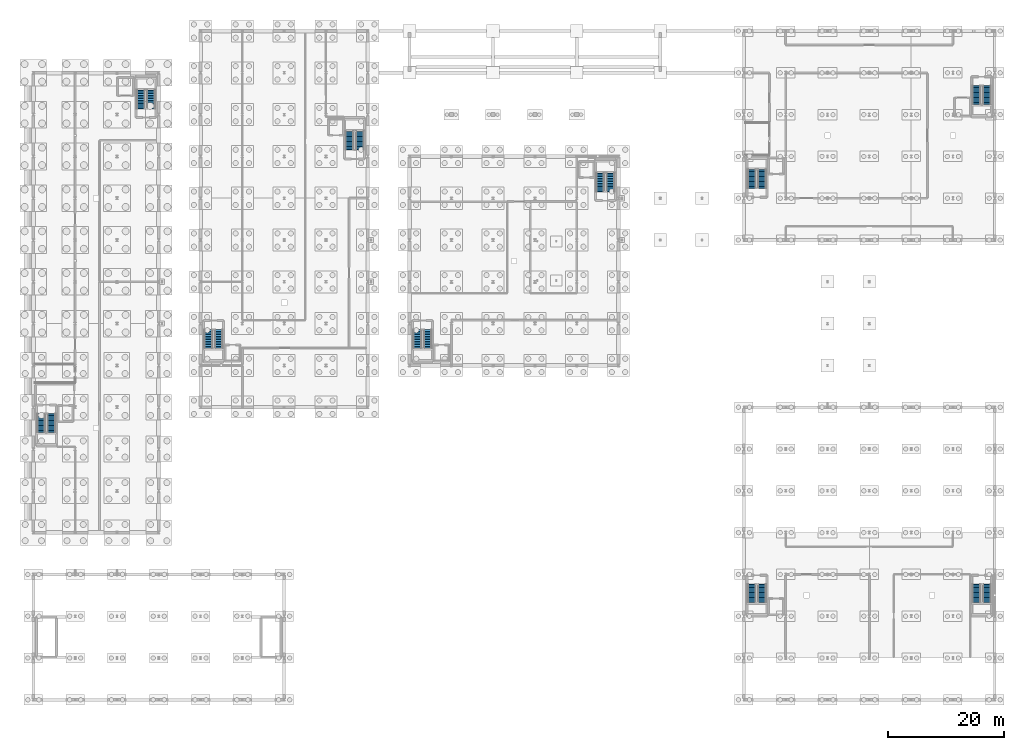
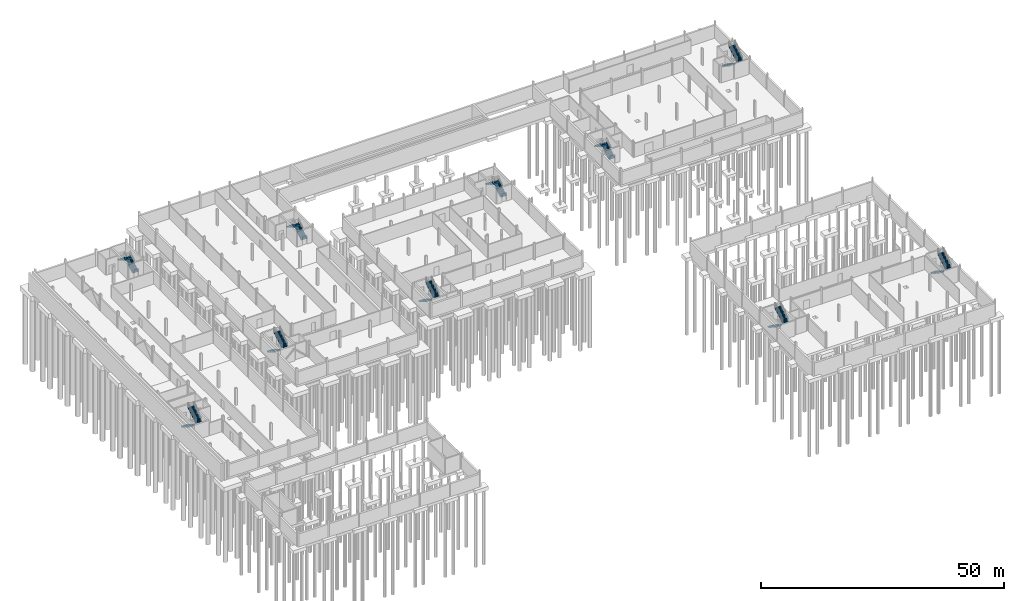
# One storey, part 43 of 50: 20 stair flights, 10 elements without a shape of their own.
"""IFC4 building model written with IfcOpenShell, lengths in metres."""

from ifc_helpers import new_model, si_unit, direction, frame, origin, place, context, subcontext, project, spatial, polyline, outline, extrude, material, type_object, element, aggregate, save


model = new_model("IFC4")

# Units and contexts
model_context = context("Model", 3, precision=1e-05, world=origin(), true_north=direction((0.0, 1.0)))
body_context = subcontext(model_context, "Body", "Model", "MODEL_VIEW")
ifc_project = project(units=[si_unit("LENGTHUNIT", "METRE"), si_unit("AREAUNIT", "SQUARE_METRE"), si_unit("VOLUMEUNIT", "CUBIC_METRE"), si_unit("PLANEANGLEUNIT", "RADIAN"), si_unit("MASSUNIT", "GRAM", prefix="KILO")], contexts=[model_context])

# Site, building, storey
site_placement = place(None, origin())
site = spatial("IfcSite", under=ifc_project, at=site_placement, CompositionType="ELEMENT")
building_placement = place(site_placement, origin())
building = spatial("IfcBuilding", under=site, at=building_placement, Name="Narikvali Park Central Library", CompositionType="ELEMENT")
storey_placement = place(building_placement, frame((0.0, 0.0, -4.199951171875)))
storey = spatial("IfcBuildingStorey", under=building, at=storey_placement, Name="B1", CompositionType="ELEMENT", Elevation=-4.199951171875)

# Stair, stair flights
ifc_material_1 = material(Name="Concrete C35/45", Category="concrete")
stair_type = type_object("IfcStairType", Name="Core Enclosed Two-Flight Exit Stair", PredefinedType="HALF_TURN_STAIR", material=ifc_material_1)
stair_1_placement = place(storey_placement, origin())
stair_1 = element("IfcStair", 1, at=stair_1_placement, inside=storey, type_object=stair_type, Name="B1 Exit Stair ST-01", PredefinedType="HALF_TURN_STAIR")
ifc_material_2 = material(Name="Precast concrete C40/50", Category="concrete")
stair_flight_type = type_object("IfcStairFlightType", Name="Precast Concrete Stair Flight 1420", PredefinedType="STRAIGHT", material=ifc_material_2)
stair_flight_1_placement = place(storey_placement, frame((66.159912109375, 63.75, 0.0), z_axis=(0.0, 0.0, 1.0), x_axis=(0.0, -1.0, 0.0)))
stair_flight_1 = element("IfcStairFlight", 2, at=stair_flight_1_placement, type_object=stair_flight_type, Name="ST-01 flight 1", NumberOfRisers=12, NumberOfTreads=11, PredefinedType="STRAIGHT", RiserHeight=0.175, TreadLength=0.285, context=body_context, shape_type="SweptSolid", body=[
    extrude(outline(polyline([(-0.0400390625, -0.02490234375), (-0.0400390625, 0.0), (0.0, 0.0), (0.0, 0.175048828125), (0.284912109375, 0.175048828125), (0.284912109375, 0.35009765625), (0.570068359375, 0.35009765625), (0.570068359375, 0.52490234375), (0.85498046875, 0.52490234375), (0.85498046875, 0.699951171875), (1.139892578125, 0.699951171875), (1.139892578125, 0.875), (1.425048828125, 0.875), (1.425048828125, 1.050048828125), (1.7099609375, 1.050048828125), (1.7099609375, 1.22509765625), (1.9951171875, 1.22509765625), (1.9951171875, 1.39990234375), (2.280029296875, 1.39990234375), (2.280029296875, 1.574951171875), (2.56494140625, 1.574951171875), (2.56494140625, 1.75), (2.85009765625, 1.75), (2.85009765625, 1.925048828125), (3.135009765625, 1.925048828125), (3.135009765625, 2.10009765625), (3.179931640625, 2.10009765625), (3.179931640625, 1.7138671875), (3.135009765625, 1.7138671875), (0.34375, -0.02490234375), (-0.0400390625, -0.02490234375)])), frame((0.0, 0.7099609375, 0.0), z_axis=(0.0, -1.0, 0.0), x_axis=(1.0, 0.0, 0.0)), (0.0, 0.0, 1.0), 1.419921875),
])
stair_flight_2_placement = place(storey_placement, frame((67.93994140625, 60.614990234375, 2.099853515625), z_axis=(0.0, 0.0, 1.0), x_axis=(0.0, 1.0, 0.0)))
stair_flight_2 = element("IfcStairFlight", 3, at=stair_flight_2_placement, type_object=stair_flight_type, Name="ST-01 flight 2", NumberOfRisers=12, NumberOfTreads=11, PredefinedType="STRAIGHT", RiserHeight=0.175, TreadLength=0.285, context=body_context, shape_type="SweptSolid", body=[
    extrude(outline(polyline([(-0.0400390625, -0.02490234375), (-0.0400390625, 0.0), (0.0, 0.0), (0.0, 0.175048828125), (0.284912109375, 0.175048828125), (0.284912109375, 0.35009765625), (0.570068359375, 0.35009765625), (0.570068359375, 0.52490234375), (0.85498046875, 0.52490234375), (0.85498046875, 0.699951171875), (1.139892578125, 0.699951171875), (1.139892578125, 0.875), (1.425048828125, 0.875), (1.425048828125, 1.050048828125), (1.7099609375, 1.050048828125), (1.7099609375, 1.22509765625), (1.9951171875, 1.22509765625), (1.9951171875, 1.39990234375), (2.280029296875, 1.39990234375), (2.280029296875, 1.574951171875), (2.56494140625, 1.574951171875), (2.56494140625, 1.75), (2.85009765625, 1.75), (2.85009765625, 1.925048828125), (3.135009765625, 1.925048828125), (3.135009765625, 2.10009765625), (3.179931640625, 2.10009765625), (3.179931640625, 1.7138671875), (3.135009765625, 1.7138671875), (0.34375, -0.02490234375), (-0.0400390625, -0.02490234375)])), frame((0.0, 0.7099609375, 0.0), z_axis=(0.0, -1.0, 0.0), x_axis=(1.0, 0.0, 0.0)), (0.0, 0.0, 1.0), 1.419921875),
])
aggregate(stair_1, [stair_flight_1, stair_flight_2])

stair_2_placement = place(storey_placement, origin())
stair_2 = element("IfcStair", 4, at=stair_2_placement, inside=storey, type_object=stair_type, Name="B1 Exit Stair ST-02", PredefinedType="HALF_TURN_STAIR")
stair_flight_3_placement = place(storey_placement, frame((99.43994140625, 87.550048828125, 0.0), z_axis=(0.0, 0.0, 1.0), x_axis=(0.0, 1.0, 0.0)))
stair_flight_3 = element("IfcStairFlight", 5, at=stair_flight_3_placement, type_object=stair_flight_type, Name="ST-02 flight 1", NumberOfRisers=12, NumberOfTreads=11, PredefinedType="STRAIGHT", RiserHeight=0.175, TreadLength=0.285, context=body_context, shape_type="SweptSolid", body=[
    extrude(outline(polyline([(-0.0400390625, -0.02490234375), (-0.0400390625, 0.0), (0.0, 0.0), (0.0, 0.175048828125), (0.284912109375, 0.175048828125), (0.284912109375, 0.35009765625), (0.570068359375, 0.35009765625), (0.570068359375, 0.52490234375), (0.85498046875, 0.52490234375), (0.85498046875, 0.699951171875), (1.139892578125, 0.699951171875), (1.139892578125, 0.875), (1.425048828125, 0.875), (1.425048828125, 1.050048828125), (1.7099609375, 1.050048828125), (1.7099609375, 1.22509765625), (1.9951171875, 1.22509765625), (1.9951171875, 1.39990234375), (2.280029296875, 1.39990234375), (2.280029296875, 1.574951171875), (2.56494140625, 1.574951171875), (2.56494140625, 1.75), (2.85009765625, 1.75), (2.85009765625, 1.925048828125), (3.135009765625, 1.925048828125), (3.135009765625, 2.10009765625), (3.179931640625, 2.10009765625), (3.179931640625, 1.7138671875), (3.135009765625, 1.7138671875), (0.34375, -0.02490234375), (-0.0400390625, -0.02490234375)])), frame((0.0, 0.7099609375, 0.0), z_axis=(0.0, -1.0, 0.0), x_axis=(1.0, 0.0, 0.0)), (0.0, 0.0, 1.0), 1.419921875),
])
stair_flight_4_placement = place(storey_placement, frame((97.659912109375, 90.68505859375, 2.099853515625), z_axis=(0.0, 0.0, 1.0), x_axis=(0.0, -1.0, 0.0)))
stair_flight_4 = element("IfcStairFlight", 6, at=stair_flight_4_placement, type_object=stair_flight_type, Name="ST-02 flight 2", NumberOfRisers=12, NumberOfTreads=11, PredefinedType="STRAIGHT", RiserHeight=0.175, TreadLength=0.285, context=body_context, shape_type="SweptSolid", body=[
    extrude(outline(polyline([(-0.0400390625, -0.02490234375), (-0.0400390625, 0.0), (0.0, 0.0), (0.0, 0.175048828125), (0.284912109375, 0.175048828125), (0.284912109375, 0.35009765625), (0.570068359375, 0.35009765625), (0.570068359375, 0.52490234375), (0.85498046875, 0.52490234375), (0.85498046875, 0.699951171875), (1.139892578125, 0.699951171875), (1.139892578125, 0.875), (1.425048828125, 0.875), (1.425048828125, 1.050048828125), (1.7099609375, 1.050048828125), (1.7099609375, 1.22509765625), (1.9951171875, 1.22509765625), (1.9951171875, 1.39990234375), (2.280029296875, 1.39990234375), (2.280029296875, 1.574951171875), (2.56494140625, 1.574951171875), (2.56494140625, 1.75), (2.85009765625, 1.75), (2.85009765625, 1.925048828125), (3.135009765625, 1.925048828125), (3.135009765625, 2.10009765625), (3.179931640625, 2.10009765625), (3.179931640625, 1.7138671875), (3.135009765625, 1.7138671875), (0.34375, -0.02490234375), (-0.0400390625, -0.02490234375)])), frame((0.0, 0.7099609375, 0.0), z_axis=(0.0, -1.0, 0.0), x_axis=(1.0, 0.0, 0.0)), (0.0, 0.0, 1.0), 1.419921875),
])
aggregate(stair_2, [stair_flight_3, stair_flight_4])

stair_3_placement = place(storey_placement, origin())
stair_3 = element("IfcStair", 7, at=stair_3_placement, inside=storey, type_object=stair_type, Name="B1 Exit Stair ST-05", PredefinedType="HALF_TURN_STAIR")
stair_flight_5_placement = place(storey_placement, frame((125.5400390625, 88.14990234375, 0.0), z_axis=(0.0, 0.0, 1.0), x_axis=(0.0, 1.0, 0.0)))
stair_flight_5 = element("IfcStairFlight", 8, at=stair_flight_5_placement, type_object=stair_flight_type, Name="ST-05 flight 1", NumberOfRisers=12, NumberOfTreads=11, PredefinedType="STRAIGHT", RiserHeight=0.175, TreadLength=0.285, context=body_context, shape_type="SweptSolid", body=[
    extrude(outline(polyline([(-0.0400390625, -0.02490234375), (-0.0400390625, 0.0), (0.0, 0.0), (0.0, 0.175048828125), (0.284912109375, 0.175048828125), (0.284912109375, 0.35009765625), (0.570068359375, 0.35009765625), (0.570068359375, 0.52490234375), (0.85498046875, 0.52490234375), (0.85498046875, 0.699951171875), (1.139892578125, 0.699951171875), (1.139892578125, 0.875), (1.425048828125, 0.875), (1.425048828125, 1.050048828125), (1.7099609375, 1.050048828125), (1.7099609375, 1.22509765625), (1.9951171875, 1.22509765625), (1.9951171875, 1.39990234375), (2.280029296875, 1.39990234375), (2.280029296875, 1.574951171875), (2.56494140625, 1.574951171875), (2.56494140625, 1.75), (2.85009765625, 1.75), (2.85009765625, 1.925048828125), (3.135009765625, 1.925048828125), (3.135009765625, 2.10009765625), (3.179931640625, 2.10009765625), (3.179931640625, 1.7138671875), (3.135009765625, 1.7138671875), (0.34375, -0.02490234375), (-0.0400390625, -0.02490234375)])), frame((0.0, 0.7099609375, 0.0), z_axis=(0.0, -1.0, 0.0), x_axis=(1.0, 0.0, 0.0)), (0.0, 0.0, 1.0), 1.419921875),
])
stair_flight_6_placement = place(storey_placement, frame((123.760009765625, 91.284912109375, 2.099853515625), z_axis=(0.0, 0.0, 1.0), x_axis=(0.0, -1.0, 0.0)))
stair_flight_6 = element("IfcStairFlight", 9, at=stair_flight_6_placement, type_object=stair_flight_type, Name="ST-05 flight 2", NumberOfRisers=12, NumberOfTreads=11, PredefinedType="STRAIGHT", RiserHeight=0.175, TreadLength=0.285, context=body_context, shape_type="SweptSolid", body=[
    extrude(outline(polyline([(-0.0400390625, -0.02490234375), (-0.0400390625, 0.0), (0.0, 0.0), (0.0, 0.175048828125), (0.284912109375, 0.175048828125), (0.284912109375, 0.35009765625), (0.570068359375, 0.35009765625), (0.570068359375, 0.52490234375), (0.85498046875, 0.52490234375), (0.85498046875, 0.699951171875), (1.139892578125, 0.699951171875), (1.139892578125, 0.875), (1.425048828125, 0.875), (1.425048828125, 1.050048828125), (1.7099609375, 1.050048828125), (1.7099609375, 1.22509765625), (1.9951171875, 1.22509765625), (1.9951171875, 1.39990234375), (2.280029296875, 1.39990234375), (2.280029296875, 1.574951171875), (2.56494140625, 1.574951171875), (2.56494140625, 1.75), (2.85009765625, 1.75), (2.85009765625, 1.925048828125), (3.135009765625, 1.925048828125), (3.135009765625, 2.10009765625), (3.179931640625, 2.10009765625), (3.179931640625, 1.7138671875), (3.135009765625, 1.7138671875), (0.34375, -0.02490234375), (-0.0400390625, -0.02490234375)])), frame((0.0, 0.7099609375, 0.0), z_axis=(0.0, -1.0, 0.0), x_axis=(1.0, 0.0, 0.0)), (0.0, 0.0, 1.0), 1.419921875),
])
aggregate(stair_3, [stair_flight_5, stair_flight_6])

stair_4_placement = place(storey_placement, origin())
stair_4 = element("IfcStair", 10, at=stair_4_placement, inside=storey, type_object=stair_type, Name="B1 Exit Stair ST-06", PredefinedType="HALF_TURN_STAIR")
stair_flight_7_placement = place(storey_placement, frame((162.4599609375, 105.75, 0.0), z_axis=(0.0, 0.0, 1.0), x_axis=(0.0, -1.0, 0.0)))
stair_flight_7 = element("IfcStairFlight", 11, at=stair_flight_7_placement, type_object=stair_flight_type, Name="ST-06 flight 1", NumberOfRisers=12, NumberOfTreads=11, PredefinedType="STRAIGHT", RiserHeight=0.175, TreadLength=0.285, context=body_context, shape_type="SweptSolid", body=[
    extrude(outline(polyline([(-0.0400390625, -0.02490234375), (-0.0400390625, 0.0), (0.0, 0.0), (0.0, 0.175048828125), (0.284912109375, 0.175048828125), (0.284912109375, 0.35009765625), (0.570068359375, 0.35009765625), (0.570068359375, 0.52490234375), (0.85498046875, 0.52490234375), (0.85498046875, 0.699951171875), (1.139892578125, 0.699951171875), (1.139892578125, 0.875), (1.425048828125, 0.875), (1.425048828125, 1.050048828125), (1.7099609375, 1.050048828125), (1.7099609375, 1.22509765625), (1.9951171875, 1.22509765625), (1.9951171875, 1.39990234375), (2.280029296875, 1.39990234375), (2.280029296875, 1.574951171875), (2.56494140625, 1.574951171875), (2.56494140625, 1.75), (2.85009765625, 1.75), (2.85009765625, 1.925048828125), (3.135009765625, 1.925048828125), (3.135009765625, 2.10009765625), (3.179931640625, 2.10009765625), (3.179931640625, 1.7138671875), (3.135009765625, 1.7138671875), (0.34375, -0.02490234375), (-0.0400390625, -0.02490234375)])), frame((0.0, 0.7099609375, 0.0), z_axis=(0.0, -1.0, 0.0), x_axis=(1.0, 0.0, 0.0)), (0.0, 0.0, 1.0), 1.419921875),
])
stair_flight_8_placement = place(storey_placement, frame((164.239990234375, 102.614990234375, 2.099853515625), z_axis=(0.0, 0.0, 1.0), x_axis=(0.0, 1.0, 0.0)))
stair_flight_8 = element("IfcStairFlight", 12, at=stair_flight_8_placement, type_object=stair_flight_type, Name="ST-06 flight 2", NumberOfRisers=12, NumberOfTreads=11, PredefinedType="STRAIGHT", RiserHeight=0.175, TreadLength=0.285, context=body_context, shape_type="SweptSolid", body=[
    extrude(outline(polyline([(-0.0400390625, -0.02490234375), (-0.0400390625, 0.0), (0.0, 0.0), (0.0, 0.175048828125), (0.284912109375, 0.175048828125), (0.284912109375, 0.35009765625), (0.570068359375, 0.35009765625), (0.570068359375, 0.52490234375), (0.85498046875, 0.52490234375), (0.85498046875, 0.699951171875), (1.139892578125, 0.699951171875), (1.139892578125, 0.875), (1.425048828125, 0.875), (1.425048828125, 1.050048828125), (1.7099609375, 1.050048828125), (1.7099609375, 1.22509765625), (1.9951171875, 1.22509765625), (1.9951171875, 1.39990234375), (2.280029296875, 1.39990234375), (2.280029296875, 1.574951171875), (2.56494140625, 1.574951171875), (2.56494140625, 1.75), (2.85009765625, 1.75), (2.85009765625, 1.925048828125), (3.135009765625, 1.925048828125), (3.135009765625, 2.10009765625), (3.179931640625, 2.10009765625), (3.179931640625, 1.7138671875), (3.135009765625, 1.7138671875), (0.34375, -0.02490234375), (-0.0400390625, -0.02490234375)])), frame((0.0, 0.7099609375, 0.0), z_axis=(0.0, -1.0, 0.0), x_axis=(1.0, 0.0, 0.0)), (0.0, 0.0, 1.0), 1.419921875),
])
aggregate(stair_4, [stair_flight_7, stair_flight_8])

stair_5_placement = place(storey_placement, origin())
stair_5 = element("IfcStair", 13, at=stair_5_placement, inside=storey, type_object=stair_type, Name="B1 Exit Stair ST-07", PredefinedType="HALF_TURN_STAIR")
stair_flight_9_placement = place(storey_placement, frame((30.159912109375, 63.75, 0.0), z_axis=(0.0, 0.0, 1.0), x_axis=(0.0, -1.0, 0.0)))
stair_flight_9 = element("IfcStairFlight", 14, at=stair_flight_9_placement, type_object=stair_flight_type, Name="ST-07 flight 1", NumberOfRisers=12, NumberOfTreads=11, PredefinedType="STRAIGHT", RiserHeight=0.175, TreadLength=0.285, context=body_context, shape_type="SweptSolid", body=[
    extrude(outline(polyline([(-0.0400390625, -0.02490234375), (-0.0400390625, 0.0), (0.0, 0.0), (0.0, 0.175048828125), (0.284912109375, 0.175048828125), (0.284912109375, 0.35009765625), (0.570068359375, 0.35009765625), (0.570068359375, 0.52490234375), (0.85498046875, 0.52490234375), (0.85498046875, 0.699951171875), (1.139892578125, 0.699951171875), (1.139892578125, 0.875), (1.425048828125, 0.875), (1.425048828125, 1.050048828125), (1.7099609375, 1.050048828125), (1.7099609375, 1.22509765625), (1.9951171875, 1.22509765625), (1.9951171875, 1.39990234375), (2.280029296875, 1.39990234375), (2.280029296875, 1.574951171875), (2.56494140625, 1.574951171875), (2.56494140625, 1.75), (2.85009765625, 1.75), (2.85009765625, 1.925048828125), (3.135009765625, 1.925048828125), (3.135009765625, 2.10009765625), (3.179931640625, 2.10009765625), (3.179931640625, 1.7138671875), (3.135009765625, 1.7138671875), (0.34375, -0.02490234375), (-0.0400390625, -0.02490234375)])), frame((0.0, 0.7099609375, 0.0), z_axis=(0.0, -1.0, 0.0), x_axis=(1.0, 0.0, 0.0)), (0.0, 0.0, 1.0), 1.419921875),
])
stair_flight_10_placement = place(storey_placement, frame((31.93994140625, 60.614990234375, 2.099853515625), z_axis=(0.0, 0.0, 1.0), x_axis=(0.0, 1.0, 0.0)))
stair_flight_10 = element("IfcStairFlight", 15, at=stair_flight_10_placement, type_object=stair_flight_type, Name="ST-07 flight 2", NumberOfRisers=12, NumberOfTreads=11, PredefinedType="STRAIGHT", RiserHeight=0.175, TreadLength=0.285, context=body_context, shape_type="SweptSolid", body=[
    extrude(outline(polyline([(-0.0400390625, -0.02490234375), (-0.0400390625, 0.0), (0.0, 0.0), (0.0, 0.175048828125), (0.284912109375, 0.175048828125), (0.284912109375, 0.35009765625), (0.570068359375, 0.35009765625), (0.570068359375, 0.52490234375), (0.85498046875, 0.52490234375), (0.85498046875, 0.699951171875), (1.139892578125, 0.699951171875), (1.139892578125, 0.875), (1.425048828125, 0.875), (1.425048828125, 1.050048828125), (1.7099609375, 1.050048828125), (1.7099609375, 1.22509765625), (1.9951171875, 1.22509765625), (1.9951171875, 1.39990234375), (2.280029296875, 1.39990234375), (2.280029296875, 1.574951171875), (2.56494140625, 1.574951171875), (2.56494140625, 1.75), (2.85009765625, 1.75), (2.85009765625, 1.925048828125), (3.135009765625, 1.925048828125), (3.135009765625, 2.10009765625), (3.179931640625, 2.10009765625), (3.179931640625, 1.7138671875), (3.135009765625, 1.7138671875), (0.34375, -0.02490234375), (-0.0400390625, -0.02490234375)])), frame((0.0, 0.7099609375, 0.0), z_axis=(0.0, -1.0, 0.0), x_axis=(1.0, 0.0, 0.0)), (0.0, 0.0, 1.0), 1.419921875),
])
aggregate(stair_5, [stair_flight_9, stair_flight_10])

stair_6_placement = place(storey_placement, origin())
stair_6 = element("IfcStair", 16, at=stair_6_placement, inside=storey, type_object=stair_type, Name="B1 Exit Stair ST-08", PredefinedType="HALF_TURN_STAIR")
stair_flight_11_placement = place(storey_placement, frame((56.239990234375, 94.75, 0.0), z_axis=(0.0, 0.0, 1.0), x_axis=(0.0, 1.0, 0.0)))
stair_flight_11 = element("IfcStairFlight", 17, at=stair_flight_11_placement, type_object=stair_flight_type, Name="ST-08 flight 1", NumberOfRisers=12, NumberOfTreads=11, PredefinedType="STRAIGHT", RiserHeight=0.175, TreadLength=0.285, context=body_context, shape_type="SweptSolid", body=[
    extrude(outline(polyline([(-0.0400390625, -0.02490234375), (-0.0400390625, 0.0), (0.0, 0.0), (0.0, 0.175048828125), (0.284912109375, 0.175048828125), (0.284912109375, 0.35009765625), (0.570068359375, 0.35009765625), (0.570068359375, 0.52490234375), (0.85498046875, 0.52490234375), (0.85498046875, 0.699951171875), (1.139892578125, 0.699951171875), (1.139892578125, 0.875), (1.425048828125, 0.875), (1.425048828125, 1.050048828125), (1.7099609375, 1.050048828125), (1.7099609375, 1.22509765625), (1.9951171875, 1.22509765625), (1.9951171875, 1.39990234375), (2.280029296875, 1.39990234375), (2.280029296875, 1.574951171875), (2.56494140625, 1.574951171875), (2.56494140625, 1.75), (2.85009765625, 1.75), (2.85009765625, 1.925048828125), (3.135009765625, 1.925048828125), (3.135009765625, 2.10009765625), (3.179931640625, 2.10009765625), (3.179931640625, 1.7138671875), (3.135009765625, 1.7138671875), (0.34375, -0.02490234375), (-0.0400390625, -0.02490234375)])), frame((0.0, 0.7099609375, 0.0), z_axis=(0.0, -1.0, 0.0), x_axis=(1.0, 0.0, 0.0)), (0.0, 0.0, 1.0), 1.419921875),
])
stair_flight_12_placement = place(storey_placement, frame((54.4599609375, 97.885009765625, 2.099853515625), z_axis=(0.0, 0.0, 1.0), x_axis=(0.0, -1.0, 0.0)))
stair_flight_12 = element("IfcStairFlight", 18, at=stair_flight_12_placement, type_object=stair_flight_type, Name="ST-08 flight 2", NumberOfRisers=12, NumberOfTreads=11, PredefinedType="STRAIGHT", RiserHeight=0.175, TreadLength=0.285, context=body_context, shape_type="SweptSolid", body=[
    extrude(outline(polyline([(-0.0400390625, -0.02490234375), (-0.0400390625, 0.0), (0.0, 0.0), (0.0, 0.175048828125), (0.284912109375, 0.175048828125), (0.284912109375, 0.35009765625), (0.570068359375, 0.35009765625), (0.570068359375, 0.52490234375), (0.85498046875, 0.52490234375), (0.85498046875, 0.699951171875), (1.139892578125, 0.699951171875), (1.139892578125, 0.875), (1.425048828125, 0.875), (1.425048828125, 1.050048828125), (1.7099609375, 1.050048828125), (1.7099609375, 1.22509765625), (1.9951171875, 1.22509765625), (1.9951171875, 1.39990234375), (2.280029296875, 1.39990234375), (2.280029296875, 1.574951171875), (2.56494140625, 1.574951171875), (2.56494140625, 1.75), (2.85009765625, 1.75), (2.85009765625, 1.925048828125), (3.135009765625, 1.925048828125), (3.135009765625, 2.10009765625), (3.179931640625, 2.10009765625), (3.179931640625, 1.7138671875), (3.135009765625, 1.7138671875), (0.34375, -0.02490234375), (-0.0400390625, -0.02490234375)])), frame((0.0, 0.7099609375, 0.0), z_axis=(0.0, -1.0, 0.0), x_axis=(1.0, 0.0, 0.0)), (0.0, 0.0, 1.0), 1.419921875),
])
aggregate(stair_6, [stair_flight_11, stair_flight_12])

stair_7_placement = place(storey_placement, origin())
stair_7 = element("IfcStair", 19, at=stair_7_placement, inside=storey, type_object=stair_type, Name="B1 Exit Stair ST-09", PredefinedType="HALF_TURN_STAIR")
stair_flight_13_placement = place(storey_placement, frame((1.360107421875, 49.25, 0.0), z_axis=(0.0, 0.0, 1.0), x_axis=(0.0, -1.0, 0.0)))
stair_flight_13 = element("IfcStairFlight", 20, at=stair_flight_13_placement, type_object=stair_flight_type, Name="ST-09 flight 1", NumberOfRisers=12, NumberOfTreads=11, PredefinedType="STRAIGHT", RiserHeight=0.175, TreadLength=0.285, context=body_context, shape_type="SweptSolid", body=[
    extrude(outline(polyline([(-0.0400390625, -0.02490234375), (-0.0400390625, 0.0), (0.0, 0.0), (0.0, 0.175048828125), (0.284912109375, 0.175048828125), (0.284912109375, 0.35009765625), (0.570068359375, 0.35009765625), (0.570068359375, 0.52490234375), (0.85498046875, 0.52490234375), (0.85498046875, 0.699951171875), (1.139892578125, 0.699951171875), (1.139892578125, 0.875), (1.425048828125, 0.875), (1.425048828125, 1.050048828125), (1.7099609375, 1.050048828125), (1.7099609375, 1.22509765625), (1.9951171875, 1.22509765625), (1.9951171875, 1.39990234375), (2.280029296875, 1.39990234375), (2.280029296875, 1.574951171875), (2.56494140625, 1.574951171875), (2.56494140625, 1.75), (2.85009765625, 1.75), (2.85009765625, 1.925048828125), (3.135009765625, 1.925048828125), (3.135009765625, 2.10009765625), (3.179931640625, 2.10009765625), (3.179931640625, 1.7138671875), (3.135009765625, 1.7138671875), (0.34375, -0.02490234375), (-0.0400390625, -0.02490234375)])), frame((0.0, 0.7099609375, 0.0), z_axis=(0.0, -1.0, 0.0), x_axis=(1.0, 0.0, 0.0)), (0.0, 0.0, 1.0), 1.419921875),
])
stair_flight_14_placement = place(storey_placement, frame((3.139892578125, 46.114990234375, 2.099853515625), z_axis=(0.0, 0.0, 1.0), x_axis=(0.0, 1.0, 0.0)))
stair_flight_14 = element("IfcStairFlight", 21, at=stair_flight_14_placement, type_object=stair_flight_type, Name="ST-09 flight 2", NumberOfRisers=12, NumberOfTreads=11, PredefinedType="STRAIGHT", RiserHeight=0.175, TreadLength=0.285, context=body_context, shape_type="SweptSolid", body=[
    extrude(outline(polyline([(-0.0400390625, -0.02490234375), (-0.0400390625, 0.0), (0.0, 0.0), (0.0, 0.175048828125), (0.284912109375, 0.175048828125), (0.284912109375, 0.35009765625), (0.570068359375, 0.35009765625), (0.570068359375, 0.52490234375), (0.85498046875, 0.52490234375), (0.85498046875, 0.699951171875), (1.139892578125, 0.699951171875), (1.139892578125, 0.875), (1.425048828125, 0.875), (1.425048828125, 1.050048828125), (1.7099609375, 1.050048828125), (1.7099609375, 1.22509765625), (1.9951171875, 1.22509765625), (1.9951171875, 1.39990234375), (2.280029296875, 1.39990234375), (2.280029296875, 1.574951171875), (2.56494140625, 1.574951171875), (2.56494140625, 1.75), (2.85009765625, 1.75), (2.85009765625, 1.925048828125), (3.135009765625, 1.925048828125), (3.135009765625, 2.10009765625), (3.179931640625, 2.10009765625), (3.179931640625, 1.7138671875), (3.135009765625, 1.7138671875), (0.34375, -0.02490234375), (-0.0400390625, -0.02490234375)])), frame((0.0, 0.7099609375, 0.0), z_axis=(0.0, -1.0, 0.0), x_axis=(1.0, 0.0, 0.0)), (0.0, 0.0, 1.0), 1.419921875),
])
aggregate(stair_7, [stair_flight_13, stair_flight_14])

stair_8_placement = place(storey_placement, origin())
stair_8 = element("IfcStair", 22, at=stair_8_placement, inside=storey, type_object=stair_type, Name="B1 Exit Stair ST-10", PredefinedType="HALF_TURN_STAIR")
stair_flight_15_placement = place(storey_placement, frame((20.2900390625, 101.85009765625, 0.0), z_axis=(0.0, 0.0, 1.0), x_axis=(0.0, 1.0, 0.0)))
stair_flight_15 = element("IfcStairFlight", 23, at=stair_flight_15_placement, type_object=stair_flight_type, Name="ST-10 flight 1", NumberOfRisers=12, NumberOfTreads=11, PredefinedType="STRAIGHT", RiserHeight=0.175, TreadLength=0.285, context=body_context, shape_type="SweptSolid", body=[
    extrude(outline(polyline([(-0.0400390625, -0.02490234375), (-0.0400390625, 0.0), (0.0, 0.0), (0.0, 0.175048828125), (0.284912109375, 0.175048828125), (0.284912109375, 0.35009765625), (0.570068359375, 0.35009765625), (0.570068359375, 0.52490234375), (0.85498046875, 0.52490234375), (0.85498046875, 0.699951171875), (1.139892578125, 0.699951171875), (1.139892578125, 0.875), (1.425048828125, 0.875), (1.425048828125, 1.050048828125), (1.7099609375, 1.050048828125), (1.7099609375, 1.22509765625), (1.9951171875, 1.22509765625), (1.9951171875, 1.39990234375), (2.280029296875, 1.39990234375), (2.280029296875, 1.574951171875), (2.56494140625, 1.574951171875), (2.56494140625, 1.75), (2.85009765625, 1.75), (2.85009765625, 1.925048828125), (3.135009765625, 1.925048828125), (3.135009765625, 2.10009765625), (3.179931640625, 2.10009765625), (3.179931640625, 1.7138671875), (3.135009765625, 1.7138671875), (0.34375, -0.02490234375), (-0.0400390625, -0.02490234375)])), frame((0.0, 0.7099609375, 0.0), z_axis=(0.0, -1.0, 0.0), x_axis=(1.0, 0.0, 0.0)), (0.0, 0.0, 1.0), 1.419921875),
])
stair_flight_16_placement = place(storey_placement, frame((18.510009765625, 104.985107421875, 2.099853515625), z_axis=(0.0, 0.0, 1.0), x_axis=(0.0, -1.0, 0.0)))
stair_flight_16 = element("IfcStairFlight", 24, at=stair_flight_16_placement, type_object=stair_flight_type, Name="ST-10 flight 2", NumberOfRisers=12, NumberOfTreads=11, PredefinedType="STRAIGHT", RiserHeight=0.175, TreadLength=0.285, context=body_context, shape_type="SweptSolid", body=[
    extrude(outline(polyline([(-0.0400390625, -0.02490234375), (-0.0400390625, 0.0), (0.0, 0.0), (0.0, 0.175048828125), (0.284912109375, 0.175048828125), (0.284912109375, 0.35009765625), (0.570068359375, 0.35009765625), (0.570068359375, 0.52490234375), (0.85498046875, 0.52490234375), (0.85498046875, 0.699951171875), (1.139892578125, 0.699951171875), (1.139892578125, 0.875), (1.425048828125, 0.875), (1.425048828125, 1.050048828125), (1.7099609375, 1.050048828125), (1.7099609375, 1.22509765625), (1.9951171875, 1.22509765625), (1.9951171875, 1.39990234375), (2.280029296875, 1.39990234375), (2.280029296875, 1.574951171875), (2.56494140625, 1.574951171875), (2.56494140625, 1.75), (2.85009765625, 1.75), (2.85009765625, 1.925048828125), (3.135009765625, 1.925048828125), (3.135009765625, 2.10009765625), (3.179931640625, 2.10009765625), (3.179931640625, 1.7138671875), (3.135009765625, 1.7138671875), (0.34375, -0.02490234375), (-0.0400390625, -0.02490234375)])), frame((0.0, 0.7099609375, 0.0), z_axis=(0.0, -1.0, 0.0), x_axis=(1.0, 0.0, 0.0)), (0.0, 0.0, 1.0), 1.419921875),
])
aggregate(stair_8, [stair_flight_15, stair_flight_16])

stair_9_placement = place(storey_placement, origin())
stair_9 = element("IfcStair", 25, at=stair_9_placement, inside=storey, type_object=stair_type, Name="B1 Exit Stair ST-11", PredefinedType="HALF_TURN_STAIR")
stair_flight_17_placement = place(storey_placement, frame((123.760009765625, 19.89990234375, 0.0), z_axis=(0.0, 0.0, 1.0), x_axis=(0.0, -1.0, 0.0)))
stair_flight_17 = element("IfcStairFlight", 26, at=stair_flight_17_placement, type_object=stair_flight_type, Name="ST-11 flight 1", NumberOfRisers=12, NumberOfTreads=11, PredefinedType="STRAIGHT", RiserHeight=0.175, TreadLength=0.285, context=body_context, shape_type="SweptSolid", body=[
    extrude(outline(polyline([(-0.0400390625, -0.02490234375), (-0.0400390625, 0.0), (0.0, 0.0), (0.0, 0.175048828125), (0.284912109375, 0.175048828125), (0.284912109375, 0.35009765625), (0.570068359375, 0.35009765625), (0.570068359375, 0.52490234375), (0.85498046875, 0.52490234375), (0.85498046875, 0.699951171875), (1.139892578125, 0.699951171875), (1.139892578125, 0.875), (1.425048828125, 0.875), (1.425048828125, 1.050048828125), (1.7099609375, 1.050048828125), (1.7099609375, 1.22509765625), (1.9951171875, 1.22509765625), (1.9951171875, 1.39990234375), (2.280029296875, 1.39990234375), (2.280029296875, 1.574951171875), (2.56494140625, 1.574951171875), (2.56494140625, 1.75), (2.85009765625, 1.75), (2.85009765625, 1.925048828125), (3.135009765625, 1.925048828125), (3.135009765625, 2.10009765625), (3.179931640625, 2.10009765625), (3.179931640625, 1.7138671875), (3.135009765625, 1.7138671875), (0.34375, -0.02490234375), (-0.0400390625, -0.02490234375)])), frame((0.0, 0.7099609375, 0.0), z_axis=(0.0, -1.0, 0.0), x_axis=(1.0, 0.0, 0.0)), (0.0, 0.0, 1.0), 1.419921875),
])
stair_flight_18_placement = place(storey_placement, frame((125.5400390625, 16.764892578125, 2.099853515625), z_axis=(0.0, 0.0, 1.0), x_axis=(0.0, 1.0, 0.0)))
stair_flight_18 = element("IfcStairFlight", 27, at=stair_flight_18_placement, type_object=stair_flight_type, Name="ST-11 flight 2", NumberOfRisers=12, NumberOfTreads=11, PredefinedType="STRAIGHT", RiserHeight=0.175, TreadLength=0.285, context=body_context, shape_type="SweptSolid", body=[
    extrude(outline(polyline([(-0.0400390625, -0.02490234375), (-0.0400390625, 0.0), (0.0, 0.0), (0.0, 0.175048828125), (0.284912109375, 0.175048828125), (0.284912109375, 0.35009765625), (0.570068359375, 0.35009765625), (0.570068359375, 0.52490234375), (0.85498046875, 0.52490234375), (0.85498046875, 0.699951171875), (1.139892578125, 0.699951171875), (1.139892578125, 0.875), (1.425048828125, 0.875), (1.425048828125, 1.050048828125), (1.7099609375, 1.050048828125), (1.7099609375, 1.22509765625), (1.9951171875, 1.22509765625), (1.9951171875, 1.39990234375), (2.280029296875, 1.39990234375), (2.280029296875, 1.574951171875), (2.56494140625, 1.574951171875), (2.56494140625, 1.75), (2.85009765625, 1.75), (2.85009765625, 1.925048828125), (3.135009765625, 1.925048828125), (3.135009765625, 2.10009765625), (3.179931640625, 2.10009765625), (3.179931640625, 1.7138671875), (3.135009765625, 1.7138671875), (0.34375, -0.02490234375), (-0.0400390625, -0.02490234375)])), frame((0.0, 0.7099609375, 0.0), z_axis=(0.0, -1.0, 0.0), x_axis=(1.0, 0.0, 0.0)), (0.0, 0.0, 1.0), 1.419921875),
])
aggregate(stair_9, [stair_flight_17, stair_flight_18])

stair_10_placement = place(storey_placement, origin())
stair_10 = element("IfcStair", 28, at=stair_10_placement, inside=storey, type_object=stair_type, Name="B1 Exit Stair ST-12", PredefinedType="HALF_TURN_STAIR")
stair_flight_19_placement = place(storey_placement, frame((162.4599609375, 19.89990234375, 0.0), z_axis=(0.0, 0.0, 1.0), x_axis=(0.0, -1.0, 0.0)))
stair_flight_19 = element("IfcStairFlight", 29, at=stair_flight_19_placement, type_object=stair_flight_type, Name="ST-12 flight 1", NumberOfRisers=12, NumberOfTreads=11, PredefinedType="STRAIGHT", RiserHeight=0.175, TreadLength=0.285, context=body_context, shape_type="SweptSolid", body=[
    extrude(outline(polyline([(-0.0400390625, -0.02490234375), (-0.0400390625, 0.0), (0.0, 0.0), (0.0, 0.175048828125), (0.284912109375, 0.175048828125), (0.284912109375, 0.35009765625), (0.570068359375, 0.35009765625), (0.570068359375, 0.52490234375), (0.85498046875, 0.52490234375), (0.85498046875, 0.699951171875), (1.139892578125, 0.699951171875), (1.139892578125, 0.875), (1.425048828125, 0.875), (1.425048828125, 1.050048828125), (1.7099609375, 1.050048828125), (1.7099609375, 1.22509765625), (1.9951171875, 1.22509765625), (1.9951171875, 1.39990234375), (2.280029296875, 1.39990234375), (2.280029296875, 1.574951171875), (2.56494140625, 1.574951171875), (2.56494140625, 1.75), (2.85009765625, 1.75), (2.85009765625, 1.925048828125), (3.135009765625, 1.925048828125), (3.135009765625, 2.10009765625), (3.179931640625, 2.10009765625), (3.179931640625, 1.7138671875), (3.135009765625, 1.7138671875), (0.34375, -0.02490234375), (-0.0400390625, -0.02490234375)])), frame((0.0, 0.7099609375, 0.0), z_axis=(0.0, -1.0, 0.0), x_axis=(1.0, 0.0, 0.0)), (0.0, 0.0, 1.0), 1.419921875),
])
stair_flight_20_placement = place(storey_placement, frame((164.239990234375, 16.764892578125, 2.099853515625), z_axis=(0.0, 0.0, 1.0), x_axis=(0.0, 1.0, 0.0)))
stair_flight_20 = element("IfcStairFlight", 30, at=stair_flight_20_placement, type_object=stair_flight_type, Name="ST-12 flight 2", NumberOfRisers=12, NumberOfTreads=11, PredefinedType="STRAIGHT", RiserHeight=0.175, TreadLength=0.285, context=body_context, shape_type="SweptSolid", body=[
    extrude(outline(polyline([(-0.0400390625, -0.02490234375), (-0.0400390625, 0.0), (0.0, 0.0), (0.0, 0.175048828125), (0.284912109375, 0.175048828125), (0.284912109375, 0.35009765625), (0.570068359375, 0.35009765625), (0.570068359375, 0.52490234375), (0.85498046875, 0.52490234375), (0.85498046875, 0.699951171875), (1.139892578125, 0.699951171875), (1.139892578125, 0.875), (1.425048828125, 0.875), (1.425048828125, 1.050048828125), (1.7099609375, 1.050048828125), (1.7099609375, 1.22509765625), (1.9951171875, 1.22509765625), (1.9951171875, 1.39990234375), (2.280029296875, 1.39990234375), (2.280029296875, 1.574951171875), (2.56494140625, 1.574951171875), (2.56494140625, 1.75), (2.85009765625, 1.75), (2.85009765625, 1.925048828125), (3.135009765625, 1.925048828125), (3.135009765625, 2.10009765625), (3.179931640625, 2.10009765625), (3.179931640625, 1.7138671875), (3.135009765625, 1.7138671875), (0.34375, -0.02490234375), (-0.0400390625, -0.02490234375)])), frame((0.0, 0.7099609375, 0.0), z_axis=(0.0, -1.0, 0.0), x_axis=(1.0, 0.0, 0.0)), (0.0, 0.0, 1.0), 1.419921875),
])
aggregate(stair_10, [stair_flight_19, stair_flight_20])

save(model, "model.ifc")
